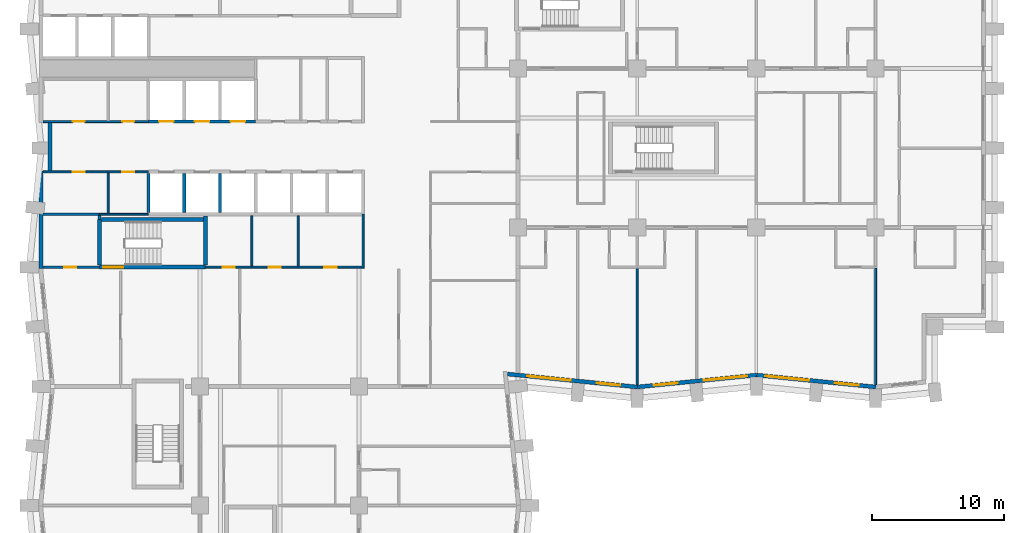
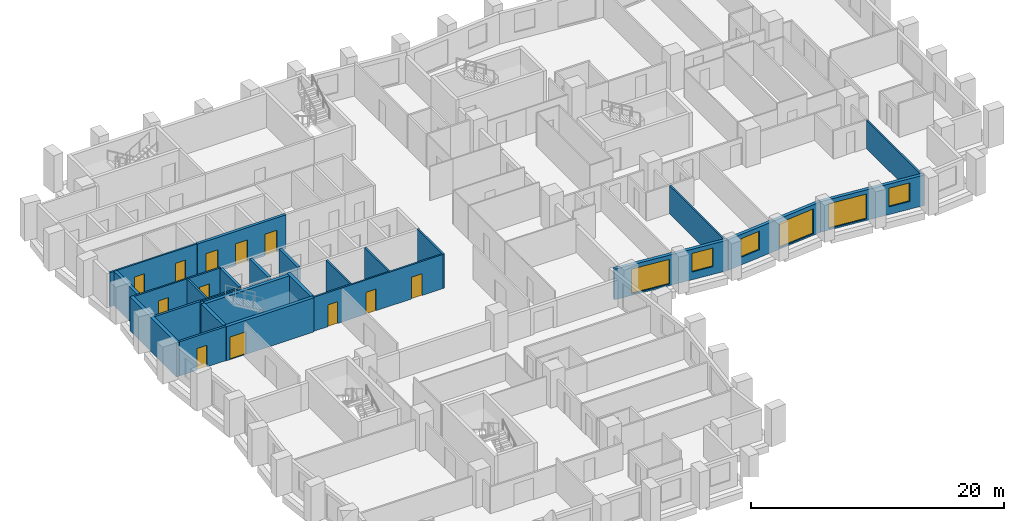
# One storey, part 5 of 12: 26 walls, 12 doors, 6 windows, 18 openings.
"""IFC4 building model written with IfcOpenShell, lengths in metres."""

import ifcopenshell
import ifcopenshell.guid

model = None  # the IFC model being written
_history = None  # IfcOwnerHistory: only IFC2X3 demands one
_inside = {}  # id of a spatial element -> (the spatial element, [elements in it])
_under = {}  # id of a project, library or spatial element -> (it, [spatial elements below it])
_declared = {}  # id of a project -> (the project, [libraries it declares])
_typed = {}  # id of a type object -> (the type object, [elements of that type])
_made_of = {}  # id of a material, layer set ... -> (it, [elements and type objects made of it])


def new_model(schema):
    """Start an empty IFC model of exactly this schema.

    Asked for "IFC4X3", IfcOpenShell would pick the latest addendum, in which some entities
    have other attributes; the version numbers below select the first issue.
    IFC2X3 requires an IfcOwnerHistory on every rooted entity: one is made here for all.
    """
    global model, _history
    if schema == "IFC4X3":
        model = ifcopenshell.file(schema_version=(4, 3, 0, 0))
    else:
        model = ifcopenshell.file(schema=schema)
    _inside.clear()
    _under.clear()
    _declared.clear()
    _typed.clear()
    _made_of.clear()
    _history = None
    if model.schema == "IFC2X3":
        org = make("IfcOrganization", Name="unknown")
        user = make(
            "IfcPersonAndOrganization",
            ThePerson=make("IfcPerson", FamilyName="unknown"),
            TheOrganization=org,
        )
        app = make(
            "IfcApplication",
            ApplicationDeveloper=org,
            Version="unknown",
            ApplicationFullName="unknown",
            ApplicationIdentifier="unknown",
        )
        _history = make(
            "IfcOwnerHistory",
            OwningUser=user,
            OwningApplication=app,
            ChangeAction="ADDED",
            CreationDate=0,
        )
    return model


def make(cls, **values):
    """One entity of the class cls with the attributes given. An attribute that is None is left unset."""
    return model.create_entity(
        cls, **{name: value for name, value in values.items() if value is not None}
    )


def rooted(cls, **values):
    """An entity with a GlobalId (a new one), such as an element, a storey or a relation."""
    return make(cls, GlobalId=ifcopenshell.guid.new(), OwnerHistory=_history, **values)


def si_unit(unit_type, name, prefix=None):
    """IfcSIUnit, for example si_unit("LENGTHUNIT", "METRE", prefix="MILLI")."""
    return make("IfcSIUnit", UnitType=unit_type, Prefix=prefix, Name=name)


def assignment(units):
    """IfcUnitAssignment: the units of a project."""
    return None if units is None else make("IfcUnitAssignment", Units=units)


def point(xyz):
    """IfcCartesianPoint."""
    return None if xyz is None else make("IfcCartesianPoint", Coordinates=xyz)


def direction(xyz):
    """IfcDirection."""
    return None if xyz is None else make("IfcDirection", DirectionRatios=xyz)


def frame(location, z_axis=None, x_axis=None):
    """IfcAxis2Placement3D, a coordinate frame: its origin and axes. An axis left out is left unset."""
    return make(
        "IfcAxis2Placement3D",
        Location=point(location),
        Axis=direction(z_axis),
        RefDirection=direction(x_axis),
    )


def frame_2d(location, x_axis=None):
    """IfcAxis2Placement2D, a coordinate frame in the plane: its origin and x axis."""
    return make(
        "IfcAxis2Placement2D", Location=point(location), RefDirection=direction(x_axis)
    )


def origin():
    """The frame at (0, 0, 0) with its axes left unset."""
    return frame((0.0, 0.0, 0.0))


def place(relative_to, where):
    """IfcLocalPlacement: puts the frame where relative to a parent placement (None: the world)."""
    return make(
        "IfcLocalPlacement", PlacementRelTo=relative_to, RelativePlacement=where
    )


def context(
    kind, dimensions, precision=None, world=None, true_north=None, identifier=None
):
    """IfcGeometricRepresentationContext, for example the 3D "Model" context."""
    return make(
        "IfcGeometricRepresentationContext",
        ContextIdentifier=identifier,
        ContextType=kind,
        CoordinateSpaceDimension=dimensions,
        Precision=precision,
        WorldCoordinateSystem=world,
        TrueNorth=true_north,
    )


def subcontext(parent, identifier, kind, view, scale=None):
    """IfcGeometricRepresentationSubContext, for example "Body" below "Model"."""
    return make(
        "IfcGeometricRepresentationSubContext",
        ContextIdentifier=identifier,
        ContextType=kind,
        ParentContext=parent,
        TargetScale=scale,
        TargetView=view,
    )


def project(units=None, contexts=None):
    """IfcProject with its units and contexts."""
    return rooted(
        "IfcProject",
        Name="project",
        RepresentationContexts=contexts,
        UnitsInContext=assignment(units),
    )


def spatial(cls, under=None, at=None, **own):
    """A site, building, storey or space (cls), placed at a placement, below another one or the project."""
    s = rooted(cls, ObjectPlacement=at, **own)
    if under is not None:
        _under.setdefault(under.id(), (under, []))[1].append(s)
    return s


def profile(cls, at=None, kind="AREA", **sizes):
    """A parametric profile (cls). Its sizes go by their IFC names, for example OverallWidth=200.0."""
    return make(cls, ProfileType=kind, Position=at, **sizes)


def rectangle(**sizes):
    """IfcRectangleProfileDef."""
    return profile("IfcRectangleProfileDef", **sizes)


def extrude(swept, where, along, depth):
    """IfcExtrudedAreaSolid: the profile swept, set in the frame where, extruded along a direction by depth."""
    return make(
        "IfcExtrudedAreaSolid",
        SweptArea=swept,
        Position=where,
        ExtrudedDirection=direction(along),
        Depth=depth,
    )


def shape(context_of_items, identifier, shape_type, items):
    """IfcShapeRepresentation: the items that make up one representation, for example the "Body"."""
    return make(
        "IfcShapeRepresentation",
        ContextOfItems=context_of_items,
        RepresentationIdentifier=identifier,
        RepresentationType=shape_type,
        Items=items,
    )


def material(Name=None, Category=None):
    """IfcMaterial."""
    return make("IfcMaterial", Name=Name, Category=Category)


def layer(
    of_material, thickness, ventilated=None, Name=None, Category=None, Priority=None
):
    """IfcMaterialLayer: one layer of a wall or slab, of a material (None: an air gap)."""
    return make(
        "IfcMaterialLayer",
        Material=of_material,
        LayerThickness=thickness,
        IsVentilated=ventilated,
        Name=Name,
        Category=Category,
        Priority=Priority,
    )


def layer_set(layers, Name=None):
    """IfcMaterialLayerSet."""
    return make("IfcMaterialLayerSet", MaterialLayers=layers, LayerSetName=Name)


def made_of(thing, what):
    """Note that an element or type object is made of a material, layer set ...; save() writes the relation."""
    if what is not None:
        _made_of.setdefault(what.id(), (what, []))[1].append(thing)
    return thing


def type_object(cls, material=None, **own):
    """A type object (cls), such as IfcWallType, which elements share."""
    return made_of(rooted(cls, **own), material)


def element(
    cls,
    number,
    at=None,
    inside=None,
    cuts=None,
    type_object=None,
    material=None,
    context=None,
    identifier="Body",
    shape_type=None,
    held_by="IfcProductDefinitionShape",
    body=None,
    shapes=None,
    **own,
):
    """One element of the class cls, such as IfcWall. Its Tag is "e" and its number.

    at: its placement. inside: the storey or other place that contains it. cuts: it is an
    opening in that element (IfcRelVoidsElement). A single representation is given by context,
    identifier, shape_type and body (its items); several are given by shapes. held_by: the class
    of the entity that holds the representations. save() writes the other relations.
    """
    e = rooted(cls, Tag="e%d" % number, ObjectPlacement=at, **own)
    if body is not None:
        shapes = [shape(context, identifier, shape_type, body)]
    if shapes is not None:
        e.Representation = make(held_by, Representations=shapes)
    if inside is not None:
        _inside.setdefault(inside.id(), (inside, []))[1].append(e)
    if cuts is not None:
        rooted(
            "IfcRelVoidsElement", RelatingBuildingElement=cuts, RelatedOpeningElement=e
        )
    if type_object is not None:
        _typed.setdefault(type_object.id(), (type_object, []))[1].append(e)
    return made_of(e, material)


def fill(opening, filler):
    """IfcRelFillsElement: the door or window that sits in an opening."""
    return rooted(
        "IfcRelFillsElement",
        RelatingOpeningElement=opening,
        RelatedBuildingElement=filler,
    )


def aggregate(whole, parts):
    """IfcRelAggregates: a whole, such as a stair, and the parts it consists of."""
    return rooted("IfcRelAggregates", RelatingObject=whole, RelatedObjects=parts)


def save(model, path):
    """Write the relations noted so far, then the file.

    IfcRelAggregates (storeys below a building ...), IfcRelContainedInSpatialStructure (elements
    in a storey), IfcRelDefinesByType, IfcRelAssociatesMaterial and IfcRelDeclares: one each for
    every whole, place, type object, material and project.
    """
    for whole, parts in _under.values():
        aggregate(whole, parts)
    for where, things in _inside.values():
        rooted(
            "IfcRelContainedInSpatialStructure",
            RelatedElements=things,
            RelatingStructure=where,
        )
    for kind, things in _typed.values():
        rooted("IfcRelDefinesByType", RelatedObjects=things, RelatingType=kind)
    for what, things in _made_of.values():
        rooted("IfcRelAssociatesMaterial", RelatedObjects=things, RelatingMaterial=what)
    for by, libraries in _declared.values():
        rooted("IfcRelDeclares", RelatingContext=by, RelatedDefinitions=libraries)
    model.write(path)


model = new_model("IFC4")

# Units and contexts
model_context = context("Model", 3, precision=1e-05, world=origin(), true_north=direction((0.0, 1.0)))
body_context = subcontext(model_context, "Body", "Model", "MODEL_VIEW")
ifc_project = project(units=[si_unit("LENGTHUNIT", "METRE"), si_unit("AREAUNIT", "SQUARE_METRE"), si_unit("VOLUMEUNIT", "CUBIC_METRE"), si_unit("PLANEANGLEUNIT", "RADIAN"), si_unit("MASSUNIT", "GRAM", prefix="KILO")], contexts=[model_context])

# Site, building, storey
site_placement = place(None, origin())
site = spatial("IfcSite", under=ifc_project, at=site_placement, CompositionType="ELEMENT")
building_placement = place(site_placement, origin())
building = spatial("IfcBuilding", under=site, at=building_placement, Name="Brondeck Convention Tower", CompositionType="ELEMENT")
storey_placement = place(building_placement, frame((0.0, 0.0, 80.699951171875)))
storey = spatial("IfcBuildingStorey", under=building, at=storey_placement, Name="L18", CompositionType="ELEMENT", Elevation=80.699951171875)

# Wall, openings, doors
ifc_material_1 = material(Name="Concrete C80/95", Category="concrete")
ifc_layer_1 = layer(ifc_material_1, 0.14990234375)
ifc_layer_set_1 = layer_set([ifc_layer_1], Name="Core beam-seat wall 150 Concrete C80/95")
wall_type_1 = type_object("IfcWallType", Name="Core beam-seat wall 150 Concrete C80/95", PredefinedType="SHEAR", material=ifc_layer_set_1)
wall_1_placement = place(storey_placement, frame((12.39990234375, 36.0, 0.0), z_axis=(0.0, 0.0, 1.0), x_axis=(1.0, 0.0, 0.0)))
wall_1 = element("IfcWall", 1, at=wall_1_placement, inside=storey, type_object=wall_type_1, Name="L18 core wall", PredefinedType="SHEAR", context=body_context, shape_type="SweptSolid", body=[
    extrude(rectangle(XDim=11.8251953125, YDim=0.14990234375, at=frame_2d((5.91259765625, 0.0))), origin(), (0.0, 0.0, 1.0), 3.300048828125),
])
opening_1_placement = place(wall_1_placement, frame((1.300048828125, 0.0, 0.0)))
opening_1 = element("IfcOpeningElement", 2, at=opening_1_placement, cuts=wall_1, Name="Opening C12-03", PredefinedType="OPENING", context=body_context, shape_type="SweptSolid", body=[
    extrude(rectangle(XDim=0.89990234375, YDim=2.10009765625, at=frame_2d((0.449951171875, 1.050048828125))), frame((0.0, 0.0849609375, 0.0), z_axis=(0.0, -1.0, 0.0), x_axis=(1.0, 0.0, 0.0)), (0.0, 0.0, 1.0), 0.169921875),
])
opening_2_placement = place(wall_1_placement, frame((4.800048828125, 0.0, 0.0)))
opening_2 = element("IfcOpeningElement", 3, at=opening_2_placement, cuts=wall_1, Name="Opening C12-04", PredefinedType="OPENING", context=body_context, shape_type="SweptSolid", body=[
    extrude(rectangle(XDim=0.89990234375, YDim=2.10009765625, at=frame_2d((0.449951171875, 1.050048828125))), frame((0.0, 0.0849609375, 0.0), z_axis=(0.0, -1.0, 0.0), x_axis=(1.0, 0.0, 0.0)), (0.0, 0.0, 1.0), 0.169921875),
])
opening_3_placement = place(wall_1_placement, frame((8.97509765625, 0.0, 0.0)))
opening_3 = element("IfcOpeningElement", 4, at=opening_3_placement, cuts=wall_1, Name="Opening C12-05", PredefinedType="OPENING", context=body_context, shape_type="SweptSolid", body=[
    extrude(rectangle(XDim=0.949951171875, YDim=2.10009765625, at=frame_2d((0.47509765625, 1.050048828125))), frame((0.0, 0.0849609375, 0.0), z_axis=(0.0, -1.0, 0.0), x_axis=(1.0, 0.0, 0.0)), (0.0, 0.0, 1.0), 0.169921875),
])
ifc_material_2 = material(Name="Steel fire door", Category="steel")
door_type_1 = type_object("IfcDoorType", Name="Room door 900x2100 EI 60", OperationType="NOTDEFINED", PredefinedType="DOOR", material=ifc_material_2)
door_1_placement = place(opening_1_placement, origin())
door_1 = element("IfcDoor", 5, at=door_1_placement, inside=storey, type_object=door_type_1, Name="L18 Room door FR-1", OperationType="SINGLE_SWING_RIGHT", OverallHeight=2.10009765625, OverallWidth=0.89990234375, PredefinedType="DOOR", context=body_context, shape_type="SweptSolid", body=[
    extrude(rectangle(XDim=0.89990234375, YDim=2.10009765625, at=frame_2d((0.449951171875, 1.050048828125))), frame((0.0, 0.02490234375, 0.0), z_axis=(0.0, -1.0, 0.0), x_axis=(1.0, 0.0, 0.0)), (0.0, 0.0, 1.0), 0.050048828125),
])
fill(opening_1, door_1)
door_2_placement = place(opening_2_placement, origin())
door_2 = element("IfcDoor", 6, at=door_2_placement, inside=storey, type_object=door_type_1, Name="L18 Room door FR-2", OperationType="SINGLE_SWING_LEFT", OverallHeight=2.10009765625, OverallWidth=0.89990234375, PredefinedType="DOOR", context=body_context, shape_type="SweptSolid", body=[
    extrude(rectangle(XDim=0.89990234375, YDim=2.10009765625, at=frame_2d((0.449951171875, 1.050048828125))), frame((0.0, 0.02490234375, 0.0), z_axis=(0.0, -1.0, 0.0), x_axis=(1.0, 0.0, 0.0)), (0.0, 0.0, 1.0), 0.050048828125),
])
fill(opening_2, door_2)
door_type_2 = type_object("IfcDoorType", Name="Room door 950x2100 EI 60", OperationType="NOTDEFINED", PredefinedType="DOOR", material=ifc_material_2)
door_3_placement = place(opening_3_placement, origin())
door_3 = element("IfcDoor", 7, at=door_3_placement, inside=storey, type_object=door_type_2, Name="L18 Room door FR-3", OperationType="SINGLE_SWING_RIGHT", OverallHeight=2.10009765625, OverallWidth=0.949951171875, PredefinedType="DOOR", context=body_context, shape_type="SweptSolid", body=[
    extrude(rectangle(XDim=0.949951171875, YDim=2.10009765625, at=frame_2d((0.47509765625, 1.050048828125))), frame((0.0, 0.02490234375, 0.0), z_axis=(0.0, -1.0, 0.0), x_axis=(1.0, 0.0, 0.0)), (0.0, 0.0, 1.0), 0.050048828125),
])
fill(opening_3, door_3)

# Walls
wall_2_placement = place(storey_placement, frame((24.300048828125, 35.925048828125, 0.0), z_axis=(0.0, 0.0, 1.0), x_axis=(0.0, 1.0, 0.0)))
element("IfcWall", 8, at=wall_2_placement, inside=storey, type_object=wall_type_1, Name="L18 core wall", PredefinedType="SHEAR", context=body_context, shape_type="SweptSolid", body=[
    extrude(rectangle(XDim=4.074951171875, YDim=0.14990234375, at=frame_2d((2.03759765625, 0.0))), origin(), (0.0, 0.0, 1.0), 3.300048828125),
])
ifc_layer_2 = layer(ifc_material_1, 0.300048828125)
ifc_layer_set_2 = layer_set([ifc_layer_2], Name="Core outer wall 300 Concrete C80/95")
wall_type_2 = type_object("IfcWallType", Name="Core outer wall 300 Concrete C80/95", PredefinedType="SHEAR", material=ifc_layer_set_2)
wall_3_placement = place(storey_placement, frame((0.0, 35.89990234375, 0.0), z_axis=(0.0, 0.0, 1.0), x_axis=(0.0, 1.0, 0.0)))
element("IfcWall", 9, at=wall_3_placement, inside=storey, type_object=wall_type_2, Name="L18 core wall", PredefinedType="SHEAR", context=body_context, shape_type="SweptSolid", body=[
    extrude(rectangle(XDim=7.375, YDim=0.300048828125, at=frame_2d((3.6875, 0.0))), origin(), (0.0, 0.0, 1.0), 3.300048828125),
])
wall_4_placement = place(storey_placement, frame((0.64990234375, 43.27490234375, 0.0), z_axis=(0.0, 0.0, 1.0), x_axis=(0.0, 1.0, 0.0)))
element("IfcWall", 10, at=wall_4_placement, inside=storey, type_object=wall_type_2, Name="L18 core wall", PredefinedType="SHEAR", context=body_context, shape_type="SweptSolid", body=[
    extrude(rectangle(XDim=3.650146484375, YDim=0.300048828125, at=frame_2d((1.8251953125, 0.0))), origin(), (0.0, 0.0, 1.0), 3.300048828125),
])
ifc_material_3 = material(Name="Fire-rated gypsum board partition")
ifc_layer_3 = layer(ifc_material_3, 0.14990234375)
ifc_layer_set_3 = layer_set([ifc_layer_3], Name="Core partition 150 EI 60")
wall_type_3 = type_object("IfcWallType", Name="Core partition 150 EI 60", PredefinedType="PARTITIONING", material=ifc_layer_set_3)
wall_5_placement = place(storey_placement, frame((4.39990234375, 40.0, 0.0), z_axis=(0.0, 0.0, 1.0), x_axis=(1.0, 0.0, 0.0)))
element("IfcWall", 11, at=wall_5_placement, inside=storey, type_object=wall_type_3, Name="L18 core wall", PredefinedType="PARTITIONING", context=body_context, shape_type="SweptSolid", body=[
    extrude(rectangle(XDim=3.7001953125, YDim=0.14990234375, at=frame_2d((1.85009765625, 0.0))), origin(), (0.0, 0.0, 1.0), 3.300048828125),
])

# Wall, openings, doors
wall_6_placement = place(storey_placement, frame((0.14990234375, 43.199951171875, 0.0), z_axis=(0.0, 0.0, 1.0), x_axis=(1.0, 0.0, 0.0)))
wall_6 = element("IfcWall", 12, at=wall_6_placement, inside=storey, type_object=wall_type_3, Name="L18 core wall", PredefinedType="PARTITIONING", context=body_context, shape_type="SweptSolid", body=[
    extrude(rectangle(XDim=7.9501953125, YDim=0.14990234375, at=frame_2d((3.97509765625, 0.0))), origin(), (0.0, 0.0, 1.0), 3.300048828125),
])
opening_4_placement = place(wall_6_placement, frame((2.25, 0.0, 0.0)))
opening_4 = element("IfcOpeningElement", 13, at=opening_4_placement, cuts=wall_6, Name="Opening C12-11", PredefinedType="OPENING", context=body_context, shape_type="SweptSolid", body=[
    extrude(rectangle(XDim=0.89990234375, YDim=2.10009765625, at=frame_2d((0.449951171875, 1.050048828125))), frame((0.0, 0.0849609375, 0.0), z_axis=(0.0, -1.0, 0.0), x_axis=(1.0, 0.0, 0.0)), (0.0, 0.0, 1.0), 0.169921875),
])
opening_5_placement = place(wall_6_placement, frame((5.97509765625, 0.0, 0.0)))
opening_5 = element("IfcOpeningElement", 14, at=opening_5_placement, cuts=wall_6, Name="Opening C12-12", PredefinedType="OPENING", context=body_context, shape_type="SweptSolid", body=[
    extrude(rectangle(XDim=0.89990234375, YDim=2.10009765625, at=frame_2d((0.449951171875, 1.050048828125))), frame((0.0, 0.0849609375, 0.0), z_axis=(0.0, -1.0, 0.0), x_axis=(1.0, 0.0, 0.0)), (0.0, 0.0, 1.0), 0.169921875),
])
door_4_placement = place(opening_4_placement, origin())
door_4 = element("IfcDoor", 15, at=door_4_placement, inside=storey, type_object=door_type_1, Name="L18 Room door FZ-S-0-1", OperationType="SINGLE_SWING_LEFT", OverallHeight=2.10009765625, OverallWidth=0.89990234375, PredefinedType="DOOR", context=body_context, shape_type="SweptSolid", body=[
    extrude(rectangle(XDim=0.89990234375, YDim=2.10009765625, at=frame_2d((0.449951171875, 1.050048828125))), frame((0.0, 0.02490234375, 0.0), z_axis=(0.0, -1.0, 0.0), x_axis=(1.0, 0.0, 0.0)), (0.0, 0.0, 1.0), 0.050048828125),
])
fill(opening_4, door_4)
door_5_placement = place(opening_5_placement, origin())
door_5 = element("IfcDoor", 16, at=door_5_placement, inside=storey, type_object=door_type_1, Name="L18 Room door FZ-S-0-2", OperationType="SINGLE_SWING_RIGHT", OverallHeight=2.10009765625, OverallWidth=0.89990234375, PredefinedType="DOOR", context=body_context, shape_type="SweptSolid", body=[
    extrude(rectangle(XDim=0.89990234375, YDim=2.10009765625, at=frame_2d((0.449951171875, 1.050048828125))), frame((0.0, 0.02490234375, 0.0), z_axis=(0.0, -1.0, 0.0), x_axis=(1.0, 0.0, 0.0)), (0.0, 0.0, 1.0), 0.050048828125),
])
fill(opening_5, door_5)

wall_7_placement = place(storey_placement, frame((0.14990234375, 47.0, 0.0), z_axis=(0.0, 0.0, 1.0), x_axis=(1.0, 0.0, 0.0)))
wall_7 = element("IfcWall", 17, at=wall_7_placement, inside=storey, type_object=wall_type_3, Name="L18 core wall", PredefinedType="PARTITIONING", context=body_context, shape_type="SweptSolid", body=[
    extrude(rectangle(XDim=7.9501953125, YDim=0.14990234375, at=frame_2d((3.97509765625, 0.0))), origin(), (0.0, 0.0, 1.0), 3.300048828125),
])
opening_6_placement = place(wall_7_placement, frame((2.25, 0.0, 0.0)))
opening_6 = element("IfcOpeningElement", 18, at=opening_6_placement, cuts=wall_7, Name="Opening C12-07", PredefinedType="OPENING", context=body_context, shape_type="SweptSolid", body=[
    extrude(rectangle(XDim=0.89990234375, YDim=2.10009765625, at=frame_2d((0.449951171875, 1.050048828125))), frame((0.0, 0.0849609375, 0.0), z_axis=(0.0, -1.0, 0.0), x_axis=(1.0, 0.0, 0.0)), (0.0, 0.0, 1.0), 0.169921875),
])
opening_7_placement = place(wall_7_placement, frame((5.97509765625, 0.0, 0.0)))
opening_7 = element("IfcOpeningElement", 19, at=opening_7_placement, cuts=wall_7, Name="Opening C12-08", PredefinedType="OPENING", context=body_context, shape_type="SweptSolid", body=[
    extrude(rectangle(XDim=0.89990234375, YDim=2.10009765625, at=frame_2d((0.449951171875, 1.050048828125))), frame((0.0, 0.0849609375, 0.0), z_axis=(0.0, -1.0, 0.0), x_axis=(1.0, 0.0, 0.0)), (0.0, 0.0, 1.0), 0.169921875),
])
door_6_placement = place(opening_6_placement, origin())
door_6 = element("IfcDoor", 20, at=door_6_placement, inside=storey, type_object=door_type_1, Name="L18 Room door FZ-N-0-1", OperationType="SINGLE_SWING_RIGHT", OverallHeight=2.10009765625, OverallWidth=0.89990234375, PredefinedType="DOOR", context=body_context, shape_type="SweptSolid", body=[
    extrude(rectangle(XDim=0.89990234375, YDim=2.10009765625, at=frame_2d((0.449951171875, 1.050048828125))), frame((0.0, 0.02490234375, 0.0), z_axis=(0.0, -1.0, 0.0), x_axis=(1.0, 0.0, 0.0)), (0.0, 0.0, 1.0), 0.050048828125),
])
fill(opening_6, door_6)
door_7_placement = place(opening_7_placement, origin())
door_7 = element("IfcDoor", 21, at=door_7_placement, inside=storey, type_object=door_type_1, Name="L18 Room door FZ-N-0-2", OperationType="SINGLE_SWING_LEFT", OverallHeight=2.10009765625, OverallWidth=0.89990234375, PredefinedType="DOOR", context=body_context, shape_type="SweptSolid", body=[
    extrude(rectangle(XDim=0.89990234375, YDim=2.10009765625, at=frame_2d((0.449951171875, 1.050048828125))), frame((0.0, 0.02490234375, 0.0), z_axis=(0.0, -1.0, 0.0), x_axis=(1.0, 0.0, 0.0)), (0.0, 0.0, 1.0), 0.050048828125),
])
fill(opening_7, door_7)

# Walls
wall_8_placement = place(storey_placement, frame((5.050048828125, 40.074951171875, 0.0), z_axis=(0.0, 0.0, 1.0), x_axis=(0.0, 1.0, 0.0)))
element("IfcWall", 22, at=wall_8_placement, inside=storey, type_object=wall_type_3, Name="L18 core wall", PredefinedType="PARTITIONING", context=body_context, shape_type="SweptSolid", body=[
    extrude(rectangle(XDim=3.050048828125, YDim=0.14990234375, at=frame_2d((1.52490234375, 0.0))), origin(), (0.0, 0.0, 1.0), 3.300048828125),
])
for number, where, z_axis, x_axis, name in (
    (23, (15.89990234375, 36.074951171875, 0.0), (0.0, 0.0, 1.0), (0.0, 1.0, 0.0), "L18 core wall"),
    (24, (19.39990234375, 36.074951171875, 0.0), (0.0, 0.0, 1.0), (0.0, 1.0, 0.0), "L18 core wall"),
):
    element("IfcWall", number, at=place(storey_placement, frame(where, z_axis=z_axis, x_axis=x_axis)), inside=storey, type_object=wall_type_3, Name=name, PredefinedType="PARTITIONING", context=body_context, shape_type="SweptSolid", body=[
        extrude(rectangle(XDim=3.800048828125, YDim=0.14990234375, at=frame_2d((1.89990234375, 0.0))), origin(), (0.0, 0.0, 1.0), 3.300048828125),
    ])

# Wall, openings, windows
ifc_material_4 = material(Name="Precast concrete C50/60 bronze finish", Category="concrete")
ifc_layer_4 = layer(ifc_material_4, 0.070068359375, Name="Bronze precast facing")
ifc_material_5 = material(Name="Mineral wool")
ifc_layer_5 = layer(ifc_material_5, 0.159912109375, Name="Insulation")
ifc_material_6 = material(Name="Concrete C35/45", Category="concrete")
ifc_layer_6 = layer(ifc_material_6, 0.070068359375, Name="Backing")
ifc_layer_set_4 = layer_set([ifc_layer_4, ifc_layer_5, ifc_layer_6], Name="External infill wall, precast concrete C50/60 bronze facing")
wall_type_4 = type_object("IfcWallType", Name="External infill wall, precast concrete C50/60 bronze facing", PredefinedType="SOLIDWALL", material=ifc_layer_set_4)
wall_9_placement = place(storey_placement, frame((45.014892578125, 26.95263671875, 0.0), z_axis=(0.0, 0.0, 1.0), x_axis=(-0.995036699177, 0.099508629231, 0.0)))
wall_9 = element("IfcWall", 25, at=wall_9_placement, inside=storey, type_object=wall_type_4, Name="ENV-EW-L18-P0-A-S-00", PredefinedType="SOLIDWALL", context=body_context, shape_type="SweptSolid", body=[
    extrude(rectangle(XDim=9.845703125, YDim=0.300048828125, at=frame_2d((4.9228515625, 0.0))), origin(), (0.0, 0.0, 1.0), 2.949951171875),
])
opening_8_placement = place(wall_9_placement, frame((1.291259765625, 0.0, 0.75)))
opening_8 = element("IfcOpeningElement", 26, at=opening_8_placement, cuts=wall_9, Name="Opening W10", PredefinedType="OPENING", context=body_context, shape_type="SweptSolid", body=[
    extrude(rectangle(XDim=1.800048828125, YDim=1.800048828125, at=frame_2d((0.89990234375, 0.89990234375))), frame((0.0, 0.159912109375, 0.0), z_axis=(0.0, -1.0, 0.0), x_axis=(1.0, 0.0, 0.0)), (0.0, 0.0, 1.0), 0.320068359375),
])
opening_9_placement = place(wall_9_placement, frame((5.063720703125, 0.0, 0.14990234375)))
opening_9 = element("IfcOpeningElement", 27, at=opening_9_placement, cuts=wall_9, Name="Opening W9", PredefinedType="OPENING", context=body_context, shape_type="SweptSolid", body=[
    extrude(rectangle(XDim=3.300048828125, YDim=2.39990234375, at=frame_2d((1.64990234375, 1.199951171875))), frame((0.0, 0.159912109375, 0.0), z_axis=(0.0, -1.0, 0.0), x_axis=(1.0, 0.0, 0.0)), (0.0, 0.0, 1.0), 0.320068359375),
])
ifc_material_7 = material(Name="Bronze tinted double glazing", Category="glass")
window_type_1 = type_object("IfcWindowType", Name="Glazed flute window, bronze tinted", PartitioningType="SINGLE_PANEL", PredefinedType="WINDOW", material=ifc_material_7)
window_1_placement = place(opening_9_placement, origin())
window_1 = element("IfcWindow", 28, at=window_1_placement, inside=storey, type_object=window_type_1, Name="ENV-WN-L18-P0-A-S-00", OverallHeight=2.39990234375, OverallWidth=3.300048828125, PartitioningType="SINGLE_PANEL", PredefinedType="WINDOW", context=body_context, shape_type="SweptSolid", body=[
    extrude(rectangle(XDim=3.300048828125, YDim=2.39990234375, at=frame_2d((1.64990234375, 1.199951171875))), frame((0.0, 0.030029296875, 0.0), z_axis=(0.0, -1.0, 0.0), x_axis=(1.0, 0.0, 0.0)), (0.0, 0.0, 1.0), 0.06005859375),
])
fill(opening_9, window_1)
window_type_2 = type_object("IfcWindowType", Name="Punched window, bronze tinted", PartitioningType="SINGLE_PANEL", PredefinedType="WINDOW", material=ifc_material_7)
window_2_placement = place(opening_8_placement, origin())
window_2 = element("IfcWindow", 29, at=window_2_placement, inside=storey, type_object=window_type_2, Name="ENV-WN-L18-P0-A-S-01", OverallHeight=1.800048828125, OverallWidth=1.800048828125, PartitioningType="SINGLE_PANEL", PredefinedType="WINDOW", context=body_context, shape_type="SweptSolid", body=[
    extrude(rectangle(XDim=1.800048828125, YDim=1.800048828125, at=frame_2d((0.89990234375, 0.89990234375))), frame((0.0, 0.030029296875, 0.0), z_axis=(0.0, -1.0, 0.0), x_axis=(1.0, 0.0, 0.0)), (0.0, 0.0, 1.0), 0.06005859375),
])
fill(opening_8, window_2)

wall_10_placement = place(storey_placement, frame((54.014892578125, 27.855712890625, 0.0), z_axis=(0.0, 0.0, 1.0), x_axis=(-0.995037993253, -0.099495688264, 0.0)))
wall_10 = element("IfcWall", 30, at=wall_10_placement, inside=storey, type_object=wall_type_4, Name="ENV-EW-L18-P0-A-S-02", PredefinedType="SOLIDWALL", context=body_context, shape_type="SweptSolid", body=[
    extrude(rectangle(XDim=9.030029296875, YDim=0.300048828125, at=frame_2d((4.51513671875, 0.0))), origin(), (0.0, 0.0, 1.0), 2.949951171875),
])
opening_10_placement = place(wall_10_placement, frame((0.711181640625, 0.0, 0.14990234375)))
opening_10 = element("IfcOpeningElement", 31, at=opening_10_placement, cuts=wall_10, Name="Opening W9", PredefinedType="OPENING", context=body_context, shape_type="SweptSolid", body=[
    extrude(rectangle(XDim=3.300048828125, YDim=2.39990234375, at=frame_2d((1.64990234375, 1.199951171875))), frame((0.0, 0.159912109375, 0.0), z_axis=(0.0, -1.0, 0.0), x_axis=(1.0, 0.0, 0.0)), (0.0, 0.0, 1.0), 0.320068359375),
])
opening_11_placement = place(wall_10_placement, frame((5.983642578125, 0.0, 0.75)))
opening_11 = element("IfcOpeningElement", 32, at=opening_11_placement, cuts=wall_10, Name="Opening W10", PredefinedType="OPENING", context=body_context, shape_type="SweptSolid", body=[
    extrude(rectangle(XDim=1.800048828125, YDim=1.800048828125, at=frame_2d((0.89990234375, 0.89990234375))), frame((0.0, 0.159912109375, 0.0), z_axis=(0.0, -1.0, 0.0), x_axis=(1.0, 0.0, 0.0)), (0.0, 0.0, 1.0), 0.320068359375),
])
window_3_placement = place(opening_10_placement, origin())
window_3 = element("IfcWindow", 33, at=window_3_placement, inside=storey, type_object=window_type_1, Name="ENV-WN-L18-P0-A-S-03", OverallHeight=2.39990234375, OverallWidth=3.300048828125, PartitioningType="SINGLE_PANEL", PredefinedType="WINDOW", context=body_context, shape_type="SweptSolid", body=[
    extrude(rectangle(XDim=3.300048828125, YDim=2.39990234375, at=frame_2d((1.64990234375, 1.199951171875))), frame((0.0, 0.030029296875, 0.0), z_axis=(0.0, -1.0, 0.0), x_axis=(1.0, 0.0, 0.0)), (0.0, 0.0, 1.0), 0.06005859375),
])
fill(opening_10, window_3)
window_4_placement = place(opening_11_placement, origin())
window_4 = element("IfcWindow", 34, at=window_4_placement, inside=storey, type_object=window_type_2, Name="ENV-WN-L18-P0-A-S-02", OverallHeight=1.800048828125, OverallWidth=1.800048828125, PartitioningType="SINGLE_PANEL", PredefinedType="WINDOW", context=body_context, shape_type="SweptSolid", body=[
    extrude(rectangle(XDim=1.800048828125, YDim=1.800048828125, at=frame_2d((0.89990234375, 0.89990234375))), frame((0.0, 0.030029296875, 0.0), z_axis=(0.0, -1.0, 0.0), x_axis=(1.0, 0.0, 0.0)), (0.0, 0.0, 1.0), 0.06005859375),
])
fill(opening_11, window_4)

wall_11_placement = place(storey_placement, frame((63.014892578125, 26.95263671875, 0.0), z_axis=(0.0, 0.0, 1.0), x_axis=(-0.995035316196, 0.099522457379, 0.0)))
wall_11 = element("IfcWall", 35, at=wall_11_placement, inside=storey, type_object=wall_type_4, Name="ENV-EW-L18-P0-A-S-04", PredefinedType="SOLIDWALL", context=body_context, shape_type="SweptSolid", body=[
    extrude(rectangle(XDim=9.030029296875, YDim=0.300048828125, at=frame_2d((4.51513671875, 0.0))), origin(), (0.0, 0.0, 1.0), 2.949951171875),
])
opening_12_placement = place(wall_11_placement, frame((1.291259765625, 0.0, 0.75)))
opening_12 = element("IfcOpeningElement", 36, at=opening_12_placement, cuts=wall_11, Name="Opening W10", PredefinedType="OPENING", context=body_context, shape_type="SweptSolid", body=[
    extrude(rectangle(XDim=1.800048828125, YDim=1.800048828125, at=frame_2d((0.89990234375, 0.89990234375))), frame((0.0, 0.159912109375, 0.0), z_axis=(0.0, -1.0, 0.0), x_axis=(1.0, 0.0, 0.0)), (0.0, 0.0, 1.0), 0.320068359375),
])
opening_13_placement = place(wall_11_placement, frame((5.063720703125, 0.0, 0.14990234375)))
opening_13 = element("IfcOpeningElement", 37, at=opening_13_placement, cuts=wall_11, Name="Opening W9", PredefinedType="OPENING", context=body_context, shape_type="SweptSolid", body=[
    extrude(rectangle(XDim=3.300048828125, YDim=2.39990234375, at=frame_2d((1.64990234375, 1.199951171875))), frame((0.0, 0.159912109375, 0.0), z_axis=(0.0, -1.0, 0.0), x_axis=(1.0, 0.0, 0.0)), (0.0, 0.0, 1.0), 0.320068359375),
])
window_5_placement = place(opening_13_placement, origin())
window_5 = element("IfcWindow", 38, at=window_5_placement, inside=storey, type_object=window_type_1, Name="ENV-WN-L18-P0-A-S-04", OverallHeight=2.39990234375, OverallWidth=3.300048828125, PartitioningType="SINGLE_PANEL", PredefinedType="WINDOW", context=body_context, shape_type="SweptSolid", body=[
    extrude(rectangle(XDim=3.300048828125, YDim=2.39990234375, at=frame_2d((1.64990234375, 1.199951171875))), frame((0.0, 0.030029296875, 0.0), z_axis=(0.0, -1.0, 0.0), x_axis=(1.0, 0.0, 0.0)), (0.0, 0.0, 1.0), 0.06005859375),
])
fill(opening_13, window_5)
window_6_placement = place(opening_12_placement, origin())
window_6 = element("IfcWindow", 39, at=window_6_placement, inside=storey, type_object=window_type_2, Name="ENV-WN-L18-P0-A-S-05", OverallHeight=1.800048828125, OverallWidth=1.800048828125, PartitioningType="SINGLE_PANEL", PredefinedType="WINDOW", context=body_context, shape_type="SweptSolid", body=[
    extrude(rectangle(XDim=1.800048828125, YDim=1.800048828125, at=frame_2d((0.89990234375, 0.89990234375))), frame((0.0, 0.030029296875, 0.0), z_axis=(0.0, -1.0, 0.0), x_axis=(1.0, 0.0, 0.0)), (0.0, 0.0, 1.0), 0.06005859375),
])
fill(opening_12, window_6)

# Walls
ifc_material_8 = material(Name="Double gypsum board acoustic wall")
ifc_layer_7 = layer(ifc_material_8, 0.14990234375)
ifc_layer_set_5 = layer_set([ifc_layer_7], Name="Guest room party wall 150")
wall_type_5 = type_object("IfcWallType", Name="Guest room party wall 150", PredefinedType="PARTITIONING", material=ifc_layer_set_5)
for number, where, z_axis, x_axis, name in (
    (40, (45.0, 35.925048828125, 0.0), (0.0, 0.0, 1.0), (0.0, -1.0, 0.0), "FLR-L18-W049"),
    (41, (63.0, 35.925048828125, 0.0), (0.0, 0.0, 1.0), (0.0, -1.0, 0.0), "FLR-L18-W050"),
):
    element("IfcWall", number, at=place(storey_placement, frame(where, z_axis=z_axis, x_axis=x_axis)), inside=storey, type_object=wall_type_5, Name=name, PredefinedType="PARTITIONING", context=body_context, shape_type="SweptSolid", body=[
        extrude(rectangle(XDim=8.800048828125, YDim=0.14990234375, at=frame_2d((4.39990234375, 0.0))), origin(), (0.0, 0.0, 1.0), 2.72998046875),
    ])

# Wall, openings, doors
ifc_layer_8 = layer(ifc_material_1, 0.25)
ifc_layer_set_6 = layer_set([ifc_layer_8], Name="Lift shaft wall 250 Concrete C80/95")
wall_type_6 = type_object("IfcWallType", Name="Lift shaft wall 250 Concrete C80/95", PredefinedType="SHEAR", material=ifc_layer_set_6)
wall_12_placement = place(storey_placement, frame((8.10009765625, 47.0, 0.0), z_axis=(0.0, 0.0, 1.0), x_axis=(1.0, 0.0, 0.0)))
wall_12 = element("IfcWall", 42, at=wall_12_placement, inside=storey, type_object=wall_type_6, Name="L18 core wall", PredefinedType="SHEAR", context=body_context, shape_type="SweptSolid", body=[
    extrude(rectangle(XDim=8.099853515625, YDim=0.25, at=frame_2d((4.0498046875, 0.0))), origin(), (0.0, 0.0, 1.0), 3.300048828125),
])
opening_14_placement = place(wall_12_placement, frame((0.800048828125, 0.0, 0.0)))
opening_14 = element("IfcOpeningElement", 43, at=opening_14_placement, cuts=wall_12, Name="Opening C12-28", PredefinedType="OPENING", context=body_context, shape_type="SweptSolid", body=[
    extrude(rectangle(XDim=1.10009765625, YDim=2.10009765625, at=frame_2d((0.550048828125, 1.050048828125))), frame((0.0, 0.135009765625, 0.0), z_axis=(0.0, -1.0, 0.0), x_axis=(1.0, 0.0, 0.0)), (0.0, 0.0, 1.0), 0.27001953125),
])
opening_15_placement = place(wall_12_placement, frame((3.5, 0.0, 0.0)))
opening_15 = element("IfcOpeningElement", 44, at=opening_15_placement, cuts=wall_12, Name="Opening C12-29", PredefinedType="OPENING", context=body_context, shape_type="SweptSolid", body=[
    extrude(rectangle(XDim=1.10009765625, YDim=2.10009765625, at=frame_2d((0.550048828125, 1.050048828125))), frame((0.0, 0.135009765625, 0.0), z_axis=(0.0, -1.0, 0.0), x_axis=(1.0, 0.0, 0.0)), (0.0, 0.0, 1.0), 0.27001953125),
])
opening_16_placement = place(wall_12_placement, frame((6.199951171875, 0.0, 0.0)))
opening_16 = element("IfcOpeningElement", 45, at=opening_16_placement, cuts=wall_12, Name="Opening C12-30", PredefinedType="OPENING", context=body_context, shape_type="SweptSolid", body=[
    extrude(rectangle(XDim=1.10009765625, YDim=2.10009765625, at=frame_2d((0.550048828125, 1.050048828125))), frame((0.0, 0.135009765625, 0.0), z_axis=(0.0, -1.0, 0.0), x_axis=(1.0, 0.0, 0.0)), (0.0, 0.0, 1.0), 0.27001953125),
])
ifc_material_9 = material(Name="Stainless steel lift door", Category="steel")
door_type_3 = type_object("IfcDoorType", Name="Lift landing door 1100x2100 EI 180", OperationType="DOUBLE_DOOR_SLIDING", PredefinedType="DOOR", material=ifc_material_9)
door_8_placement = place(opening_14_placement, origin())
door_8 = element("IfcDoor", 46, at=door_8_placement, inside=storey, type_object=door_type_3, Name="L18 Lift landing door LR4", OperationType="DOUBLE_DOOR_SLIDING", OverallHeight=2.10009765625, OverallWidth=1.10009765625, PredefinedType="DOOR", context=body_context, shape_type="SweptSolid", body=[
    extrude(rectangle(XDim=1.10009765625, YDim=2.10009765625, at=frame_2d((0.550048828125, 1.050048828125))), frame((0.0, 0.02490234375, 0.0), z_axis=(0.0, -1.0, 0.0), x_axis=(1.0, 0.0, 0.0)), (0.0, 0.0, 1.0), 0.050048828125),
])
fill(opening_14, door_8)
door_9_placement = place(opening_15_placement, origin())
door_9 = element("IfcDoor", 47, at=door_9_placement, inside=storey, type_object=door_type_3, Name="L18 Lift landing door LR5", OperationType="DOUBLE_DOOR_SLIDING", OverallHeight=2.10009765625, OverallWidth=1.10009765625, PredefinedType="DOOR", context=body_context, shape_type="SweptSolid", body=[
    extrude(rectangle(XDim=1.10009765625, YDim=2.10009765625, at=frame_2d((0.550048828125, 1.050048828125))), frame((0.0, 0.02490234375, 0.0), z_axis=(0.0, -1.0, 0.0), x_axis=(1.0, 0.0, 0.0)), (0.0, 0.0, 1.0), 0.050048828125),
])
fill(opening_15, door_9)
door_10_placement = place(opening_16_placement, origin())
door_10 = element("IfcDoor", 48, at=door_10_placement, inside=storey, type_object=door_type_3, Name="L18 Lift landing door LR6", OperationType="DOUBLE_DOOR_SLIDING", OverallHeight=2.10009765625, OverallWidth=1.10009765625, PredefinedType="DOOR", context=body_context, shape_type="SweptSolid", body=[
    extrude(rectangle(XDim=1.10009765625, YDim=2.10009765625, at=frame_2d((0.550048828125, 1.050048828125))), frame((0.0, 0.02490234375, 0.0), z_axis=(0.0, -1.0, 0.0), x_axis=(1.0, 0.0, 0.0)), (0.0, 0.0, 1.0), 0.050048828125),
])
fill(opening_16, door_10)

# Walls
for number, where, z_axis, x_axis, name in (
    (49, (8.10009765625, 40.125, 0.0), (0.0, 0.0, 1.0), (0.0, 1.0, 0.0), "L18 core wall"),
    (50, (10.800048828125, 40.125, 0.0), (0.0, 0.0, 1.0), (0.0, 1.0, 0.0), "L18 core wall"),
    (51, (13.5, 40.125, 0.0), (0.0, 0.0, 1.0), (0.0, 1.0, 0.0), "L18 core wall"),
):
    element("IfcWall", number, at=place(storey_placement, frame(where, z_axis=z_axis, x_axis=x_axis)), inside=storey, type_object=wall_type_6, Name=name, PredefinedType="SHEAR", context=body_context, shape_type="SweptSolid", body=[
        extrude(rectangle(XDim=2.949951171875, YDim=0.25, at=frame_2d((1.47509765625, 0.0))), origin(), (0.0, 0.0, 1.0), 3.300048828125),
    ])

# Wall, opening, door
ifc_layer_9 = layer(ifc_material_3, 0.199951171875)
ifc_layer_set_7 = layer_set([ifc_layer_9], Name="Riser wall 200 EI 120")
wall_type_7 = type_object("IfcWallType", Name="Riser wall 200 EI 120", PredefinedType="PARTITIONING", material=ifc_layer_set_7)
wall_13_placement = place(storey_placement, frame((0.14990234375, 36.0, 0.0), z_axis=(0.0, 0.0, 1.0), x_axis=(1.0, 0.0, 0.0)))
wall_13 = element("IfcWall", 52, at=wall_13_placement, inside=storey, type_object=wall_type_7, Name="L18 core wall", PredefinedType="PARTITIONING", context=body_context, shape_type="SweptSolid", body=[
    extrude(rectangle(XDim=4.25, YDim=0.199951171875, at=frame_2d((2.125, 0.0))), origin(), (0.0, 0.0, 1.0), 3.300048828125),
])
opening_17_placement = place(wall_13_placement, frame((1.60009765625, 0.0, 0.0)))
opening_17 = element("IfcOpeningElement", 53, at=opening_17_placement, cuts=wall_13, Name="Opening C12-06", PredefinedType="OPENING", context=body_context, shape_type="SweptSolid", body=[
    extrude(rectangle(XDim=0.89990234375, YDim=2.10009765625, at=frame_2d((0.449951171875, 1.050048828125))), frame((0.0, 0.10986328125, 0.0), z_axis=(0.0, -1.0, 0.0), x_axis=(1.0, 0.0, 0.0)), (0.0, 0.0, 1.0), 0.219970703125),
])
door_type_4 = type_object("IfcDoorType", Name="Riser door 900x2100 EI 120", OperationType="NOTDEFINED", PredefinedType="DOOR", material=ifc_material_2)
door_11_placement = place(opening_17_placement, origin())
door_11 = element("IfcDoor", 54, at=door_11_placement, inside=storey, type_object=door_type_4, Name="L18 Riser door FRW-1", OperationType="SINGLE_SWING_LEFT", OverallHeight=2.10009765625, OverallWidth=0.89990234375, PredefinedType="DOOR", context=body_context, shape_type="SweptSolid", body=[
    extrude(rectangle(XDim=0.89990234375, YDim=2.10009765625, at=frame_2d((0.449951171875, 1.050048828125))), frame((0.0, 0.02490234375, 0.0), z_axis=(0.0, -1.0, 0.0), x_axis=(1.0, 0.0, 0.0)), (0.0, 0.0, 1.0), 0.050048828125),
])
fill(opening_17, door_11)

# Walls
wall_14_placement = place(storey_placement, frame((0.14990234375, 40.0, 0.0), z_axis=(0.0, 0.0, 1.0), x_axis=(1.0, 0.0, 0.0)))
element("IfcWall", 55, at=wall_14_placement, inside=storey, type_object=wall_type_7, Name="L18 core wall", PredefinedType="PARTITIONING", context=body_context, shape_type="SweptSolid", body=[
    extrude(rectangle(XDim=4.25, YDim=0.199951171875, at=frame_2d((2.125, 0.0))), origin(), (0.0, 0.0, 1.0), 3.300048828125),
])
wall_15_placement = place(storey_placement, frame((4.39990234375, 39.60009765625, 0.0), z_axis=(0.0, 0.0, 1.0), x_axis=(0.0, 1.0, 0.0)))
element("IfcWall", 56, at=wall_15_placement, inside=storey, type_object=wall_type_7, Name="L18 core wall", PredefinedType="PARTITIONING", context=body_context, shape_type="SweptSolid", body=[
    extrude(rectangle(XDim=0.2998046875, YDim=0.199951171875, at=frame_2d((0.14990234375, 0.0))), origin(), (0.0, 0.0, 1.0), 3.300048828125),
])

# Wall, opening, door
ifc_layer_10 = layer(ifc_material_1, 0.300048828125)
ifc_layer_set_8 = layer_set([ifc_layer_10], Name="Stair enclosure wall 300 Concrete C80/95")
wall_type_8 = type_object("IfcWallType", Name="Stair enclosure wall 300 Concrete C80/95", PredefinedType="SHEAR", material=ifc_layer_set_8)
wall_16_placement = place(storey_placement, frame((4.39990234375, 36.0, 0.0), z_axis=(0.0, 0.0, 1.0), x_axis=(1.0, 0.0, 0.0)))
wall_16 = element("IfcWall", 57, at=wall_16_placement, inside=storey, type_object=wall_type_8, Name="L18 core wall", PredefinedType="SHEAR", context=body_context, shape_type="SweptSolid", body=[
    extrude(rectangle(XDim=8.0, YDim=0.300048828125, at=frame_2d((4.0, 0.0))), origin(), (0.0, 0.0, 1.0), 3.300048828125),
])
opening_18_placement = place(wall_16_placement, frame((0.300048828125, 0.0, 0.0)))
opening_18 = element("IfcOpeningElement", 58, at=opening_18_placement, cuts=wall_16, Name="Opening C12-14", PredefinedType="OPENING", context=body_context, shape_type="SweptSolid", body=[
    extrude(rectangle(XDim=1.5, YDim=2.199951171875, at=frame_2d((0.75, 1.10009765625))), frame((0.0, 0.159912109375, 0.0), z_axis=(0.0, -1.0, 0.0), x_axis=(1.0, 0.0, 0.0)), (0.0, 0.0, 1.0), 0.320068359375),
])
door_type_5 = type_object("IfcDoorType", Name="Stair door 1500x2200 EI 90", OperationType="NOTDEFINED", PredefinedType="DOOR", material=ifc_material_2)
door_12_placement = place(opening_18_placement, origin())
door_12 = element("IfcDoor", 59, at=door_12_placement, inside=storey, type_object=door_type_5, Name="L18 Stair door ST-1", OperationType="SINGLE_SWING_RIGHT", OverallHeight=2.199951171875, OverallWidth=1.5, PredefinedType="DOOR", context=body_context, shape_type="SweptSolid", body=[
    extrude(rectangle(XDim=1.5, YDim=2.199951171875, at=frame_2d((0.75, 1.10009765625))), frame((0.0, 0.02490234375, 0.0), z_axis=(0.0, -1.0, 0.0), x_axis=(1.0, 0.0, 0.0)), (0.0, 0.0, 1.0), 0.050048828125),
])
fill(opening_18, door_12)

# Walls
wall_17_placement = place(storey_placement, frame((4.550048828125, 39.60009765625, 0.0), z_axis=(0.0, 0.0, 1.0), x_axis=(1.0, 0.0, 0.0)))
element("IfcWall", 60, at=wall_17_placement, inside=storey, type_object=wall_type_8, Name="L18 core wall", PredefinedType="SHEAR", context=body_context, shape_type="SweptSolid", body=[
    extrude(rectangle(XDim=7.699951171875, YDim=0.300048828125, at=frame_2d((3.85009765625, 0.0))), origin(), (0.0, 0.0, 1.0), 3.300048828125),
])
wall_18_placement = place(storey_placement, frame((4.39990234375, 36.14990234375, 0.0), z_axis=(0.0, 0.0, 1.0), x_axis=(0.0, 1.0, 0.0)))
element("IfcWall", 61, at=wall_18_placement, inside=storey, type_object=wall_type_8, Name="L18 core wall", PredefinedType="SHEAR", context=body_context, shape_type="SweptSolid", body=[
    extrude(rectangle(XDim=3.4501953125, YDim=0.300048828125, at=frame_2d((1.72509765625, 0.0))), origin(), (0.0, 0.0, 1.0), 3.300048828125),
])
wall_19_placement = place(storey_placement, frame((12.39990234375, 36.14990234375, 0.0), z_axis=(0.0, 0.0, 1.0), x_axis=(0.0, 1.0, 0.0)))
element("IfcWall", 62, at=wall_19_placement, inside=storey, type_object=wall_type_8, Name="L18 core wall", PredefinedType="SHEAR", context=body_context, shape_type="SweptSolid", body=[
    extrude(rectangle(XDim=3.72509765625, YDim=0.300048828125, at=frame_2d((1.862548828125, 0.0))), origin(), (0.0, 0.0, 1.0), 3.300048828125),
])

save(model, "model.ifc")
